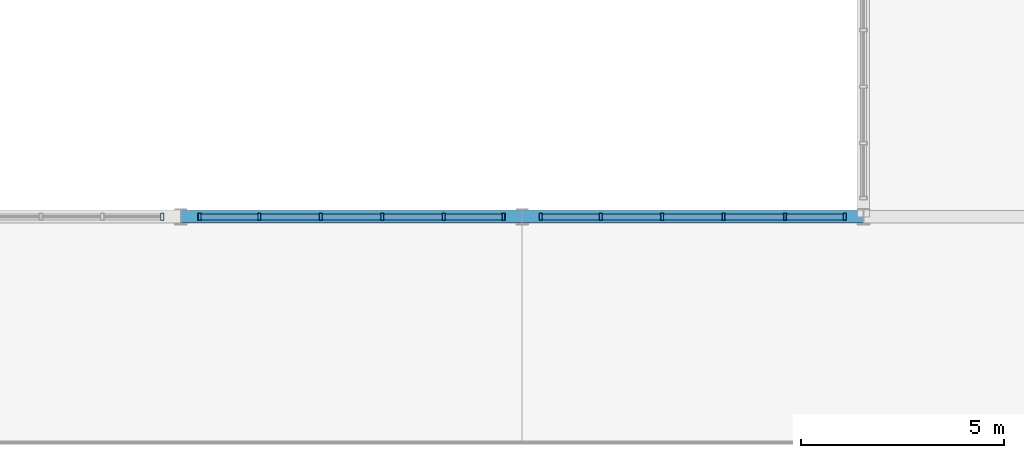
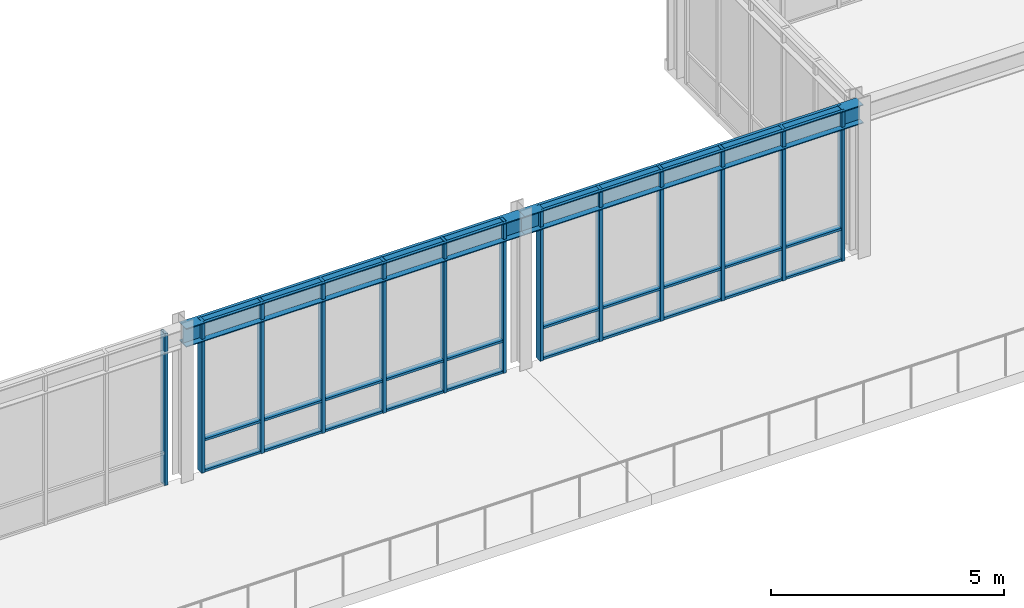
# One storey, part 47 of 123: 43 members, 2 beams, 3 elements without a shape of their own.
"""IFC4 building model written with IfcOpenShell, lengths in metres."""

from ifc_helpers import new_model, si_unit, direction, frame, origin, origin_2d, place, context, subcontext, project, spatial, hollow_rectangle, i_section, extrude, material, layer, layer_set, material_profile, profile_set, type_object, element, aggregate, save


model = new_model("IFC4")

# Units and contexts
model_context = context("Model", 3, precision=1e-05, world=origin(), true_north=direction((0.0, 1.0)))
body_context = subcontext(model_context, "Body", "Model", "MODEL_VIEW")
ifc_project = project(units=[si_unit("LENGTHUNIT", "METRE"), si_unit("AREAUNIT", "SQUARE_METRE"), si_unit("VOLUMEUNIT", "CUBIC_METRE"), si_unit("PLANEANGLEUNIT", "RADIAN"), si_unit("MASSUNIT", "GRAM", prefix="KILO")], contexts=[model_context])

# Site, building, storey
site_placement = place(None, origin())
site = spatial("IfcSite", under=ifc_project, at=site_placement, CompositionType="ELEMENT")
building_placement = place(site_placement, origin())
building = spatial("IfcBuilding", under=site, at=building_placement, Name="Zayran Congress Hotel", CompositionType="ELEMENT")
storey_placement = place(building_placement, frame((0.0, 0.0, 15.0)))
storey = spatial("IfcBuildingStorey", under=building, at=storey_placement, Name="L03", CompositionType="ELEMENT", Elevation=15.0)

# Beams
ifc_material_1 = material(Name="Steel S355", Category="steel")
ifc_material_profile_1 = material_profile(ifc_material_1, i_section(OverallWidth=0.300048828125, OverallDepth=0.489990234375, WebThickness=0.011962890625, FlangeThickness=0.02294921875, at=origin_2d()), Name="HEA 500")
ifc_profile_set_1 = profile_set([ifc_material_profile_1], Name="Steel S355")
beam_type = type_object("IfcBeamType", Name="TP-BM-05", PredefinedType="BEAM", material=ifc_profile_set_1)
beam_1_placement = place(storey_placement, frame((42.0, 109.60009765625, 3.735107421875), z_axis=(1.0, 0.0, 0.0), x_axis=(0.0, 1.0, 0.0)))
element("IfcBeam", 1, at=beam_1_placement, inside=storey, type_object=beam_type, Name="BM-V1-L03-0833", PredefinedType="BEAM", context=body_context, shape_type="SweptSolid", body=[
    extrude(i_section(OverallWidth=0.300048828125, OverallDepth=0.489990234375, WebThickness=0.011962890625, FlangeThickness=0.02294921875, at=origin_2d()), origin(), (0.0, 0.0, 1.0), 8.39990234375),
])
beam_2_placement = place(storey_placement, frame((50.39990234375, 109.60009765625, 3.735107421875), z_axis=(1.0, 0.0, 0.0), x_axis=(0.0, 1.0, 0.0)))
element("IfcBeam", 2, at=beam_2_placement, inside=storey, type_object=beam_type, Name="BM-V1-L03-0834", PredefinedType="BEAM", context=body_context, shape_type="SweptSolid", body=[
    extrude(i_section(OverallWidth=0.300048828125, OverallDepth=0.489990234375, WebThickness=0.011962890625, FlangeThickness=0.02294921875, at=origin_2d()), origin(), (0.0, 0.0, 1.0), 8.400146484375),
])

# Curtain wall, member
ifc_material_2 = material(Name="Anodised aluminium and low-E insulated glass", Category="aluminium")
ifc_layer_1 = layer(ifc_material_2, 0.179931640625)
ifc_layer_set_1 = layer_set([ifc_layer_1], Name="Anodised aluminium and low-E insulated glass")
curtain_wall_type_1 = type_object("IfcCurtainWallType", Name="CW-V1NF-L03-CW-21-7560-3980", PredefinedType="USERDEFINED", material=ifc_layer_set_1)
curtain_wall_1_placement = place(storey_placement, origin())
curtain_wall_1 = element("IfcCurtainWall", 3, at=curtain_wall_1_placement, inside=storey, type_object=curtain_wall_type_1, Name="CW-V1NF-L03-3", ObjectType="CURTAIN WALL", PredefinedType="USERDEFINED")
ifc_material_3 = material(Name="Anodised aluminium framing", Category="aluminium")
ifc_material_profile_2 = material_profile(ifc_material_3, hollow_rectangle(XDim=0.080078125, YDim=0.179931640625, WallThickness=0.0048828125, at=origin_2d()), Name="RHS 180x80x5")
ifc_profile_set_2 = profile_set([ifc_material_profile_2], Name="Anodised aluminium framing")
member_type_1 = type_object("IfcMemberType", Name="TP-CWM-01", PredefinedType="MULLION", material=ifc_profile_set_2)
member_1_placement = place(storey_placement, frame((41.5400390625, 109.60009765625, 0.0), z_axis=(0.0, 0.0, 1.0), x_axis=(1.0, 0.0, 0.0)))
member_1 = element("IfcMember", 4, at=member_1_placement, type_object=member_type_1, Name="CW-V1NF-L03-3-M00", PredefinedType="MULLION", context=body_context, shape_type="SweptSolid", body=[
    extrude(hollow_rectangle(XDim=0.080078125, YDim=0.179931640625, WallThickness=0.0048828125, at=origin_2d()), origin(), (0.0, 0.0, 1.0), 3.97998046875),
])
aggregate(curtain_wall_1, [member_1])

# Curtain wall, members
ifc_layer_2 = layer(ifc_material_2, 0.179931640625)
ifc_layer_set_2 = layer_set([ifc_layer_2], Name="Anodised aluminium and low-E insulated glass")
curtain_wall_type_2 = type_object("IfcCurtainWallType", Name="CW-V1NF-L03-CW-22-7560-3980", PredefinedType="USERDEFINED", material=ifc_layer_set_2)
curtain_wall_2_placement = place(storey_placement, origin())
curtain_wall_2 = element("IfcCurtainWall", 5, at=curtain_wall_2_placement, inside=storey, type_object=curtain_wall_type_2, Name="CW-V1NF-L03-4", ObjectType="CURTAIN WALL", PredefinedType="USERDEFINED")
member_2_placement = place(storey_placement, frame((49.93994140625, 109.60009765625, 0.0), z_axis=(0.0, 0.0, 1.0), x_axis=(1.0, 0.0, 0.0)))
member_2 = element("IfcMember", 6, at=member_2_placement, type_object=member_type_1, Name="CW-V1NF-L03-4-M00", PredefinedType="MULLION", context=body_context, shape_type="SweptSolid", body=[
    extrude(hollow_rectangle(XDim=0.080078125, YDim=0.179931640625, WallThickness=0.0048828125, at=origin_2d()), origin(), (0.0, 0.0, 1.0), 3.97998046875),
])
member_3_placement = place(storey_placement, frame((48.468017578125, 109.60009765625, 0.0), z_axis=(0.0, 0.0, 1.0), x_axis=(1.0, 0.0, 0.0)))
member_3 = element("IfcMember", 7, at=member_3_placement, type_object=member_type_1, Name="CW-V1NF-L03-4-M01", PredefinedType="MULLION", context=body_context, shape_type="SweptSolid", body=[
    extrude(hollow_rectangle(XDim=0.080078125, YDim=0.179931640625, WallThickness=0.0048828125, at=origin_2d()), origin(), (0.0, 0.0, 1.0), 3.97998046875),
])
member_4_placement = place(storey_placement, frame((46.9560546875, 109.60009765625, 0.0), z_axis=(0.0, 0.0, 1.0), x_axis=(1.0, 0.0, 0.0)))
member_4 = element("IfcMember", 8, at=member_4_placement, type_object=member_type_1, Name="CW-V1NF-L03-4-M02", PredefinedType="MULLION", context=body_context, shape_type="SweptSolid", body=[
    extrude(hollow_rectangle(XDim=0.080078125, YDim=0.179931640625, WallThickness=0.0048828125, at=origin_2d()), origin(), (0.0, 0.0, 1.0), 3.97998046875),
])
member_5_placement = place(storey_placement, frame((45.444091796875, 109.60009765625, 0.0), z_axis=(0.0, 0.0, 1.0), x_axis=(1.0, 0.0, 0.0)))
member_5 = element("IfcMember", 9, at=member_5_placement, type_object=member_type_1, Name="CW-V1NF-L03-4-M03", PredefinedType="MULLION", context=body_context, shape_type="SweptSolid", body=[
    extrude(hollow_rectangle(XDim=0.080078125, YDim=0.179931640625, WallThickness=0.0048828125, at=origin_2d()), origin(), (0.0, 0.0, 1.0), 3.97998046875),
])
member_6_placement = place(storey_placement, frame((43.931884765625, 109.60009765625, 0.0), z_axis=(0.0, 0.0, 1.0), x_axis=(1.0, 0.0, 0.0)))
member_6 = element("IfcMember", 10, at=member_6_placement, type_object=member_type_1, Name="CW-V1NF-L03-4-M04", PredefinedType="MULLION", context=body_context, shape_type="SweptSolid", body=[
    extrude(hollow_rectangle(XDim=0.080078125, YDim=0.179931640625, WallThickness=0.0048828125, at=origin_2d()), origin(), (0.0, 0.0, 1.0), 3.97998046875),
])
member_7_placement = place(storey_placement, frame((42.4599609375, 109.60009765625, 0.0), z_axis=(0.0, 0.0, 1.0), x_axis=(1.0, 0.0, 0.0)))
member_7 = element("IfcMember", 11, at=member_7_placement, type_object=member_type_1, Name="CW-V1NF-L03-4-M05", PredefinedType="MULLION", context=body_context, shape_type="SweptSolid", body=[
    extrude(hollow_rectangle(XDim=0.080078125, YDim=0.179931640625, WallThickness=0.0048828125, at=origin_2d()), origin(), (0.0, 0.0, 1.0), 3.97998046875),
])

ifc_layer_3 = layer(ifc_material_2, 0.179931640625)
ifc_layer_set_3 = layer_set([ifc_layer_3], Name="Anodised aluminium and low-E insulated glass")
curtain_wall_type_3 = type_object("IfcCurtainWallType", Name="CW-V1NF-L03-CW-23-7560-3980", PredefinedType="USERDEFINED", material=ifc_layer_set_3)
curtain_wall_3_placement = place(storey_placement, origin())
curtain_wall_3 = element("IfcCurtainWall", 12, at=curtain_wall_3_placement, inside=storey, type_object=curtain_wall_type_3, Name="CW-V1NF-L03-5", ObjectType="CURTAIN WALL", PredefinedType="USERDEFINED")
member_8_placement = place(storey_placement, frame((58.340087890625, 109.60009765625, 0.0), z_axis=(0.0, 0.0, 1.0), x_axis=(1.0, 0.0, 0.0)))
member_8 = element("IfcMember", 13, at=member_8_placement, type_object=member_type_1, Name="CW-V1NF-L03-5-M00", PredefinedType="MULLION", context=body_context, shape_type="SweptSolid", body=[
    extrude(hollow_rectangle(XDim=0.080078125, YDim=0.179931640625, WallThickness=0.0048828125, at=origin_2d()), origin(), (0.0, 0.0, 1.0), 3.97998046875),
])
member_9_placement = place(storey_placement, frame((56.867919921875, 109.60009765625, 0.0), z_axis=(0.0, 0.0, 1.0), x_axis=(1.0, 0.0, 0.0)))
member_9 = element("IfcMember", 14, at=member_9_placement, type_object=member_type_1, Name="CW-V1NF-L03-5-M01", PredefinedType="MULLION", context=body_context, shape_type="SweptSolid", body=[
    extrude(hollow_rectangle(XDim=0.080078125, YDim=0.179931640625, WallThickness=0.0048828125, at=origin_2d()), origin(), (0.0, 0.0, 1.0), 3.97998046875),
])
member_10_placement = place(storey_placement, frame((55.35595703125, 109.60009765625, 0.0), z_axis=(0.0, 0.0, 1.0), x_axis=(1.0, 0.0, 0.0)))
member_10 = element("IfcMember", 15, at=member_10_placement, type_object=member_type_1, Name="CW-V1NF-L03-5-M02", PredefinedType="MULLION", context=body_context, shape_type="SweptSolid", body=[
    extrude(hollow_rectangle(XDim=0.080078125, YDim=0.179931640625, WallThickness=0.0048828125, at=origin_2d()), origin(), (0.0, 0.0, 1.0), 3.97998046875),
])
member_11_placement = place(storey_placement, frame((53.843994140625, 109.60009765625, 0.0), z_axis=(0.0, 0.0, 1.0), x_axis=(1.0, 0.0, 0.0)))
member_11 = element("IfcMember", 16, at=member_11_placement, type_object=member_type_1, Name="CW-V1NF-L03-5-M03", PredefinedType="MULLION", context=body_context, shape_type="SweptSolid", body=[
    extrude(hollow_rectangle(XDim=0.080078125, YDim=0.179931640625, WallThickness=0.0048828125, at=origin_2d()), origin(), (0.0, 0.0, 1.0), 3.97998046875),
])
member_12_placement = place(storey_placement, frame((52.33203125, 109.60009765625, 0.0), z_axis=(0.0, 0.0, 1.0), x_axis=(1.0, 0.0, 0.0)))
member_12 = element("IfcMember", 17, at=member_12_placement, type_object=member_type_1, Name="CW-V1NF-L03-5-M04", PredefinedType="MULLION", context=body_context, shape_type="SweptSolid", body=[
    extrude(hollow_rectangle(XDim=0.080078125, YDim=0.179931640625, WallThickness=0.0048828125, at=origin_2d()), origin(), (0.0, 0.0, 1.0), 3.97998046875),
])
member_13_placement = place(storey_placement, frame((50.860107421875, 109.60009765625, 0.0), z_axis=(0.0, 0.0, 1.0), x_axis=(1.0, 0.0, 0.0)))
member_13 = element("IfcMember", 18, at=member_13_placement, type_object=member_type_1, Name="CW-V1NF-L03-5-M05", PredefinedType="MULLION", context=body_context, shape_type="SweptSolid", body=[
    extrude(hollow_rectangle(XDim=0.080078125, YDim=0.179931640625, WallThickness=0.0048828125, at=origin_2d()), origin(), (0.0, 0.0, 1.0), 3.97998046875),
])

# Member
ifc_material_profile_3 = material_profile(ifc_material_3, hollow_rectangle(XDim=0.06005859375, YDim=0.14990234375, WallThickness=0.00390625, at=origin_2d()), Name="RHS 150x60x4")
ifc_profile_set_3 = profile_set([ifc_material_profile_3], Name="Anodised aluminium framing")
member_type_2 = type_object("IfcMemberType", Name="TP-CWT-01", PredefinedType="USERDEFINED", material=ifc_profile_set_3)
member_14_placement = place(storey_placement, frame((49.89990234375, 109.60009765625, 0.030029296875), z_axis=(-1.0, 0.0, 0.0), x_axis=(0.0, 0.0, 1.0)))
member_14 = element("IfcMember", 19, at=member_14_placement, type_object=member_type_2, Name="CW-V1NF-L03-4-T00-0", ObjectType="TRANSOM", PredefinedType="USERDEFINED", context=body_context, shape_type="SweptSolid", body=[
    extrude(hollow_rectangle(XDim=0.06005859375, YDim=0.14990234375, WallThickness=0.00390625, at=origin_2d()), origin(), (0.0, 0.0, 1.0), 1.391845703125),
])

member_15_placement = place(storey_placement, frame((49.89990234375, 109.60009765625, 0.840087890625), z_axis=(-1.0, 0.0, 0.0), x_axis=(0.0, 0.0, 1.0)))
member_15 = element("IfcMember", 20, at=member_15_placement, type_object=member_type_2, Name="CW-V1NF-L03-4-T00-1", ObjectType="TRANSOM", PredefinedType="USERDEFINED", context=body_context, shape_type="SweptSolid", body=[
    extrude(hollow_rectangle(XDim=0.06005859375, YDim=0.14990234375, WallThickness=0.00390625, at=origin_2d()), origin(), (0.0, 0.0, 1.0), 1.391845703125),
])

member_16_placement = place(storey_placement, frame((49.89990234375, 109.60009765625, 3.949951171875), z_axis=(-1.0, 0.0, 0.0), x_axis=(0.0, 0.0, 1.0)))
member_16 = element("IfcMember", 21, at=member_16_placement, type_object=member_type_2, Name="CW-V1NF-L03-4-T00-2", ObjectType="TRANSOM", PredefinedType="USERDEFINED", context=body_context, shape_type="SweptSolid", body=[
    extrude(hollow_rectangle(XDim=0.06005859375, YDim=0.14990234375, WallThickness=0.00390625, at=origin_2d()), origin(), (0.0, 0.0, 1.0), 1.391845703125),
])

member_17_placement = place(storey_placement, frame((48.427978515625, 109.60009765625, 0.030029296875), z_axis=(-1.0, 0.0, 0.0), x_axis=(0.0, 0.0, 1.0)))
member_17 = element("IfcMember", 22, at=member_17_placement, type_object=member_type_2, Name="CW-V1NF-L03-4-T01-0", ObjectType="TRANSOM", PredefinedType="USERDEFINED", context=body_context, shape_type="SweptSolid", body=[
    extrude(hollow_rectangle(XDim=0.06005859375, YDim=0.14990234375, WallThickness=0.00390625, at=origin_2d()), origin(), (0.0, 0.0, 1.0), 1.431884765625),
])

member_18_placement = place(storey_placement, frame((48.427978515625, 109.60009765625, 0.840087890625), z_axis=(-1.0, 0.0, 0.0), x_axis=(0.0, 0.0, 1.0)))
member_18 = element("IfcMember", 23, at=member_18_placement, type_object=member_type_2, Name="CW-V1NF-L03-4-T01-1", ObjectType="TRANSOM", PredefinedType="USERDEFINED", context=body_context, shape_type="SweptSolid", body=[
    extrude(hollow_rectangle(XDim=0.06005859375, YDim=0.14990234375, WallThickness=0.00390625, at=origin_2d()), origin(), (0.0, 0.0, 1.0), 1.431884765625),
])

member_19_placement = place(storey_placement, frame((48.427978515625, 109.60009765625, 3.949951171875), z_axis=(-1.0, 0.0, 0.0), x_axis=(0.0, 0.0, 1.0)))
member_19 = element("IfcMember", 24, at=member_19_placement, type_object=member_type_2, Name="CW-V1NF-L03-4-T01-2", ObjectType="TRANSOM", PredefinedType="USERDEFINED", context=body_context, shape_type="SweptSolid", body=[
    extrude(hollow_rectangle(XDim=0.06005859375, YDim=0.14990234375, WallThickness=0.00390625, at=origin_2d()), origin(), (0.0, 0.0, 1.0), 1.431884765625),
])

member_20_placement = place(storey_placement, frame((46.916015625, 109.60009765625, 0.030029296875), z_axis=(-1.0, 0.0, 0.0), x_axis=(0.0, 0.0, 1.0)))
member_20 = element("IfcMember", 25, at=member_20_placement, type_object=member_type_2, Name="CW-V1NF-L03-4-T02-0", ObjectType="TRANSOM", PredefinedType="USERDEFINED", context=body_context, shape_type="SweptSolid", body=[
    extrude(hollow_rectangle(XDim=0.06005859375, YDim=0.14990234375, WallThickness=0.00390625, at=origin_2d()), origin(), (0.0, 0.0, 1.0), 1.43212890625),
])

member_21_placement = place(storey_placement, frame((46.916015625, 109.60009765625, 0.840087890625), z_axis=(-1.0, 0.0, 0.0), x_axis=(0.0, 0.0, 1.0)))
member_21 = element("IfcMember", 26, at=member_21_placement, type_object=member_type_2, Name="CW-V1NF-L03-4-T02-1", ObjectType="TRANSOM", PredefinedType="USERDEFINED", context=body_context, shape_type="SweptSolid", body=[
    extrude(hollow_rectangle(XDim=0.06005859375, YDim=0.14990234375, WallThickness=0.00390625, at=origin_2d()), origin(), (0.0, 0.0, 1.0), 1.43212890625),
])

member_22_placement = place(storey_placement, frame((46.916015625, 109.60009765625, 3.949951171875), z_axis=(-1.0, 0.0, 0.0), x_axis=(0.0, 0.0, 1.0)))
member_22 = element("IfcMember", 27, at=member_22_placement, type_object=member_type_2, Name="CW-V1NF-L03-4-T02-2", ObjectType="TRANSOM", PredefinedType="USERDEFINED", context=body_context, shape_type="SweptSolid", body=[
    extrude(hollow_rectangle(XDim=0.06005859375, YDim=0.14990234375, WallThickness=0.00390625, at=origin_2d()), origin(), (0.0, 0.0, 1.0), 1.43212890625),
])

member_23_placement = place(storey_placement, frame((45.404052734375, 109.60009765625, 0.030029296875), z_axis=(-1.0, 0.0, 0.0), x_axis=(0.0, 0.0, 1.0)))
member_23 = element("IfcMember", 28, at=member_23_placement, type_object=member_type_2, Name="CW-V1NF-L03-4-T03-0", ObjectType="TRANSOM", PredefinedType="USERDEFINED", context=body_context, shape_type="SweptSolid", body=[
    extrude(hollow_rectangle(XDim=0.06005859375, YDim=0.14990234375, WallThickness=0.00390625, at=origin_2d()), origin(), (0.0, 0.0, 1.0), 1.43212890625),
])

member_24_placement = place(storey_placement, frame((45.404052734375, 109.60009765625, 0.840087890625), z_axis=(-1.0, 0.0, 0.0), x_axis=(0.0, 0.0, 1.0)))
member_24 = element("IfcMember", 29, at=member_24_placement, type_object=member_type_2, Name="CW-V1NF-L03-4-T03-1", ObjectType="TRANSOM", PredefinedType="USERDEFINED", context=body_context, shape_type="SweptSolid", body=[
    extrude(hollow_rectangle(XDim=0.06005859375, YDim=0.14990234375, WallThickness=0.00390625, at=origin_2d()), origin(), (0.0, 0.0, 1.0), 1.43212890625),
])

member_25_placement = place(storey_placement, frame((45.404052734375, 109.60009765625, 3.949951171875), z_axis=(-1.0, 0.0, 0.0), x_axis=(0.0, 0.0, 1.0)))
member_25 = element("IfcMember", 30, at=member_25_placement, type_object=member_type_2, Name="CW-V1NF-L03-4-T03-2", ObjectType="TRANSOM", PredefinedType="USERDEFINED", context=body_context, shape_type="SweptSolid", body=[
    extrude(hollow_rectangle(XDim=0.06005859375, YDim=0.14990234375, WallThickness=0.00390625, at=origin_2d()), origin(), (0.0, 0.0, 1.0), 1.43212890625),
])

member_26_placement = place(storey_placement, frame((43.89208984375, 109.60009765625, 0.030029296875), z_axis=(-1.0, 0.0, 0.0), x_axis=(0.0, 0.0, 1.0)))
member_26 = element("IfcMember", 31, at=member_26_placement, type_object=member_type_2, Name="CW-V1NF-L03-4-T04-0", ObjectType="TRANSOM", PredefinedType="USERDEFINED", context=body_context, shape_type="SweptSolid", body=[
    extrude(hollow_rectangle(XDim=0.06005859375, YDim=0.14990234375, WallThickness=0.00390625, at=origin_2d()), origin(), (0.0, 0.0, 1.0), 1.39208984375),
])

member_27_placement = place(storey_placement, frame((43.89208984375, 109.60009765625, 0.840087890625), z_axis=(-1.0, 0.0, 0.0), x_axis=(0.0, 0.0, 1.0)))
member_27 = element("IfcMember", 32, at=member_27_placement, type_object=member_type_2, Name="CW-V1NF-L03-4-T04-1", ObjectType="TRANSOM", PredefinedType="USERDEFINED", context=body_context, shape_type="SweptSolid", body=[
    extrude(hollow_rectangle(XDim=0.06005859375, YDim=0.14990234375, WallThickness=0.00390625, at=origin_2d()), origin(), (0.0, 0.0, 1.0), 1.39208984375),
])

member_28_placement = place(storey_placement, frame((43.89208984375, 109.60009765625, 3.949951171875), z_axis=(-1.0, 0.0, 0.0), x_axis=(0.0, 0.0, 1.0)))
member_28 = element("IfcMember", 33, at=member_28_placement, type_object=member_type_2, Name="CW-V1NF-L03-4-T04-2", ObjectType="TRANSOM", PredefinedType="USERDEFINED", context=body_context, shape_type="SweptSolid", body=[
    extrude(hollow_rectangle(XDim=0.06005859375, YDim=0.14990234375, WallThickness=0.00390625, at=origin_2d()), origin(), (0.0, 0.0, 1.0), 1.39208984375),
])

aggregate(curtain_wall_2, [member_2, member_3, member_4, member_5, member_6, member_7, member_14, member_15, member_16, member_17, member_18, member_19, member_20, member_21, member_22, member_23, member_24, member_25, member_26, member_27, member_28])

member_29_placement = place(storey_placement, frame((58.300048828125, 109.60009765625, 0.030029296875), z_axis=(-1.0, 0.0, 0.0), x_axis=(0.0, 0.0, 1.0)))
member_29 = element("IfcMember", 34, at=member_29_placement, type_object=member_type_2, Name="CW-V1NF-L03-5-T00-0", ObjectType="TRANSOM", PredefinedType="USERDEFINED", context=body_context, shape_type="SweptSolid", body=[
    extrude(hollow_rectangle(XDim=0.06005859375, YDim=0.14990234375, WallThickness=0.00390625, at=origin_2d()), origin(), (0.0, 0.0, 1.0), 1.39208984375),
])

member_30_placement = place(storey_placement, frame((58.300048828125, 109.60009765625, 0.840087890625), z_axis=(-1.0, 0.0, 0.0), x_axis=(0.0, 0.0, 1.0)))
member_30 = element("IfcMember", 35, at=member_30_placement, type_object=member_type_2, Name="CW-V1NF-L03-5-T00-1", ObjectType="TRANSOM", PredefinedType="USERDEFINED", context=body_context, shape_type="SweptSolid", body=[
    extrude(hollow_rectangle(XDim=0.06005859375, YDim=0.14990234375, WallThickness=0.00390625, at=origin_2d()), origin(), (0.0, 0.0, 1.0), 1.39208984375),
])

member_31_placement = place(storey_placement, frame((58.300048828125, 109.60009765625, 3.949951171875), z_axis=(-1.0, 0.0, 0.0), x_axis=(0.0, 0.0, 1.0)))
member_31 = element("IfcMember", 36, at=member_31_placement, type_object=member_type_2, Name="CW-V1NF-L03-5-T00-2", ObjectType="TRANSOM", PredefinedType="USERDEFINED", context=body_context, shape_type="SweptSolid", body=[
    extrude(hollow_rectangle(XDim=0.06005859375, YDim=0.14990234375, WallThickness=0.00390625, at=origin_2d()), origin(), (0.0, 0.0, 1.0), 1.39208984375),
])

member_32_placement = place(storey_placement, frame((56.827880859375, 109.60009765625, 0.030029296875), z_axis=(-1.0, 0.0, 0.0), x_axis=(0.0, 0.0, 1.0)))
member_32 = element("IfcMember", 37, at=member_32_placement, type_object=member_type_2, Name="CW-V1NF-L03-5-T01-0", ObjectType="TRANSOM", PredefinedType="USERDEFINED", context=body_context, shape_type="SweptSolid", body=[
    extrude(hollow_rectangle(XDim=0.06005859375, YDim=0.14990234375, WallThickness=0.00390625, at=origin_2d()), origin(), (0.0, 0.0, 1.0), 1.431884765625),
])

member_33_placement = place(storey_placement, frame((56.827880859375, 109.60009765625, 0.840087890625), z_axis=(-1.0, 0.0, 0.0), x_axis=(0.0, 0.0, 1.0)))
member_33 = element("IfcMember", 38, at=member_33_placement, type_object=member_type_2, Name="CW-V1NF-L03-5-T01-1", ObjectType="TRANSOM", PredefinedType="USERDEFINED", context=body_context, shape_type="SweptSolid", body=[
    extrude(hollow_rectangle(XDim=0.06005859375, YDim=0.14990234375, WallThickness=0.00390625, at=origin_2d()), origin(), (0.0, 0.0, 1.0), 1.431884765625),
])

member_34_placement = place(storey_placement, frame((56.827880859375, 109.60009765625, 3.949951171875), z_axis=(-1.0, 0.0, 0.0), x_axis=(0.0, 0.0, 1.0)))
member_34 = element("IfcMember", 39, at=member_34_placement, type_object=member_type_2, Name="CW-V1NF-L03-5-T01-2", ObjectType="TRANSOM", PredefinedType="USERDEFINED", context=body_context, shape_type="SweptSolid", body=[
    extrude(hollow_rectangle(XDim=0.06005859375, YDim=0.14990234375, WallThickness=0.00390625, at=origin_2d()), origin(), (0.0, 0.0, 1.0), 1.431884765625),
])

member_35_placement = place(storey_placement, frame((55.31591796875, 109.60009765625, 0.030029296875), z_axis=(-1.0, 0.0, 0.0), x_axis=(0.0, 0.0, 1.0)))
member_35 = element("IfcMember", 40, at=member_35_placement, type_object=member_type_2, Name="CW-V1NF-L03-5-T02-0", ObjectType="TRANSOM", PredefinedType="USERDEFINED", context=body_context, shape_type="SweptSolid", body=[
    extrude(hollow_rectangle(XDim=0.06005859375, YDim=0.14990234375, WallThickness=0.00390625, at=origin_2d()), origin(), (0.0, 0.0, 1.0), 1.431884765625),
])

member_36_placement = place(storey_placement, frame((55.31591796875, 109.60009765625, 0.840087890625), z_axis=(-1.0, 0.0, 0.0), x_axis=(0.0, 0.0, 1.0)))
member_36 = element("IfcMember", 41, at=member_36_placement, type_object=member_type_2, Name="CW-V1NF-L03-5-T02-1", ObjectType="TRANSOM", PredefinedType="USERDEFINED", context=body_context, shape_type="SweptSolid", body=[
    extrude(hollow_rectangle(XDim=0.06005859375, YDim=0.14990234375, WallThickness=0.00390625, at=origin_2d()), origin(), (0.0, 0.0, 1.0), 1.431884765625),
])

member_37_placement = place(storey_placement, frame((55.31591796875, 109.60009765625, 3.949951171875), z_axis=(-1.0, 0.0, 0.0), x_axis=(0.0, 0.0, 1.0)))
member_37 = element("IfcMember", 42, at=member_37_placement, type_object=member_type_2, Name="CW-V1NF-L03-5-T02-2", ObjectType="TRANSOM", PredefinedType="USERDEFINED", context=body_context, shape_type="SweptSolid", body=[
    extrude(hollow_rectangle(XDim=0.06005859375, YDim=0.14990234375, WallThickness=0.00390625, at=origin_2d()), origin(), (0.0, 0.0, 1.0), 1.431884765625),
])

member_38_placement = place(storey_placement, frame((53.803955078125, 109.60009765625, 0.030029296875), z_axis=(-1.0, 0.0, 0.0), x_axis=(0.0, 0.0, 1.0)))
member_38 = element("IfcMember", 43, at=member_38_placement, type_object=member_type_2, Name="CW-V1NF-L03-5-T03-0", ObjectType="TRANSOM", PredefinedType="USERDEFINED", context=body_context, shape_type="SweptSolid", body=[
    extrude(hollow_rectangle(XDim=0.06005859375, YDim=0.14990234375, WallThickness=0.00390625, at=origin_2d()), origin(), (0.0, 0.0, 1.0), 1.431884765625),
])

member_39_placement = place(storey_placement, frame((53.803955078125, 109.60009765625, 0.840087890625), z_axis=(-1.0, 0.0, 0.0), x_axis=(0.0, 0.0, 1.0)))
member_39 = element("IfcMember", 44, at=member_39_placement, type_object=member_type_2, Name="CW-V1NF-L03-5-T03-1", ObjectType="TRANSOM", PredefinedType="USERDEFINED", context=body_context, shape_type="SweptSolid", body=[
    extrude(hollow_rectangle(XDim=0.06005859375, YDim=0.14990234375, WallThickness=0.00390625, at=origin_2d()), origin(), (0.0, 0.0, 1.0), 1.431884765625),
])

member_40_placement = place(storey_placement, frame((53.803955078125, 109.60009765625, 3.949951171875), z_axis=(-1.0, 0.0, 0.0), x_axis=(0.0, 0.0, 1.0)))
member_40 = element("IfcMember", 45, at=member_40_placement, type_object=member_type_2, Name="CW-V1NF-L03-5-T03-2", ObjectType="TRANSOM", PredefinedType="USERDEFINED", context=body_context, shape_type="SweptSolid", body=[
    extrude(hollow_rectangle(XDim=0.06005859375, YDim=0.14990234375, WallThickness=0.00390625, at=origin_2d()), origin(), (0.0, 0.0, 1.0), 1.431884765625),
])

member_41_placement = place(storey_placement, frame((52.2919921875, 109.60009765625, 0.030029296875), z_axis=(-1.0, 0.0, 0.0), x_axis=(0.0, 0.0, 1.0)))
member_41 = element("IfcMember", 46, at=member_41_placement, type_object=member_type_2, Name="CW-V1NF-L03-5-T04-0", ObjectType="TRANSOM", PredefinedType="USERDEFINED", context=body_context, shape_type="SweptSolid", body=[
    extrude(hollow_rectangle(XDim=0.06005859375, YDim=0.14990234375, WallThickness=0.00390625, at=origin_2d()), origin(), (0.0, 0.0, 1.0), 1.39208984375),
])

member_42_placement = place(storey_placement, frame((52.2919921875, 109.60009765625, 0.840087890625), z_axis=(-1.0, 0.0, 0.0), x_axis=(0.0, 0.0, 1.0)))
member_42 = element("IfcMember", 47, at=member_42_placement, type_object=member_type_2, Name="CW-V1NF-L03-5-T04-1", ObjectType="TRANSOM", PredefinedType="USERDEFINED", context=body_context, shape_type="SweptSolid", body=[
    extrude(hollow_rectangle(XDim=0.06005859375, YDim=0.14990234375, WallThickness=0.00390625, at=origin_2d()), origin(), (0.0, 0.0, 1.0), 1.39208984375),
])

member_43_placement = place(storey_placement, frame((52.2919921875, 109.60009765625, 3.949951171875), z_axis=(-1.0, 0.0, 0.0), x_axis=(0.0, 0.0, 1.0)))
member_43 = element("IfcMember", 48, at=member_43_placement, type_object=member_type_2, Name="CW-V1NF-L03-5-T04-2", ObjectType="TRANSOM", PredefinedType="USERDEFINED", context=body_context, shape_type="SweptSolid", body=[
    extrude(hollow_rectangle(XDim=0.06005859375, YDim=0.14990234375, WallThickness=0.00390625, at=origin_2d()), origin(), (0.0, 0.0, 1.0), 1.39208984375),
])

aggregate(curtain_wall_3, [member_8, member_9, member_10, member_11, member_12, member_13, member_29, member_30, member_31, member_32, member_33, member_34, member_35, member_36, member_37, member_38, member_39, member_40, member_41, member_42, member_43])

save(model, "model.ifc")
